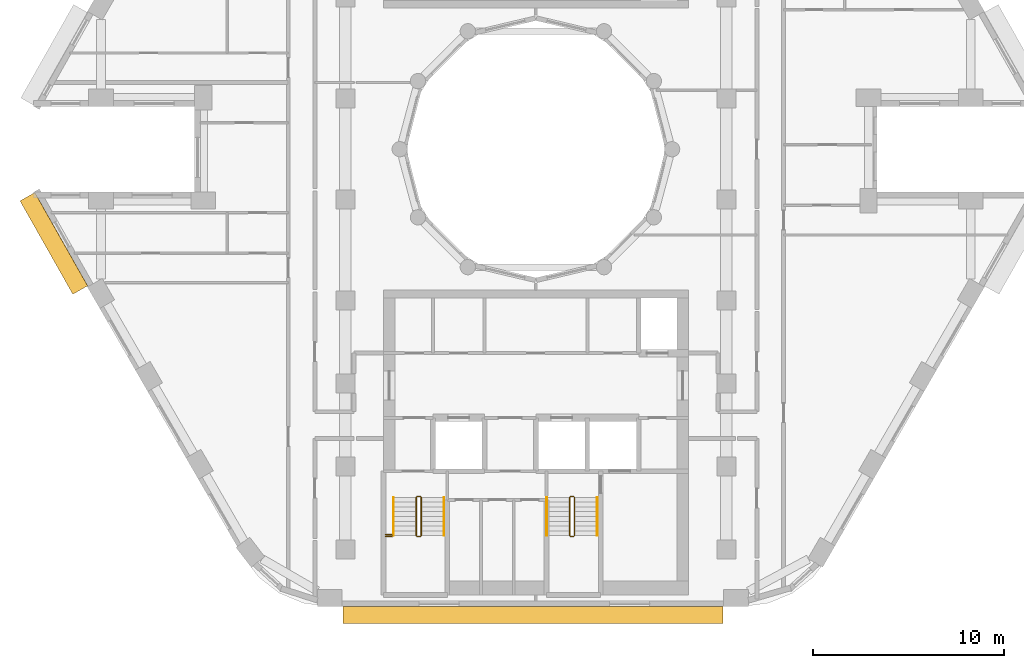
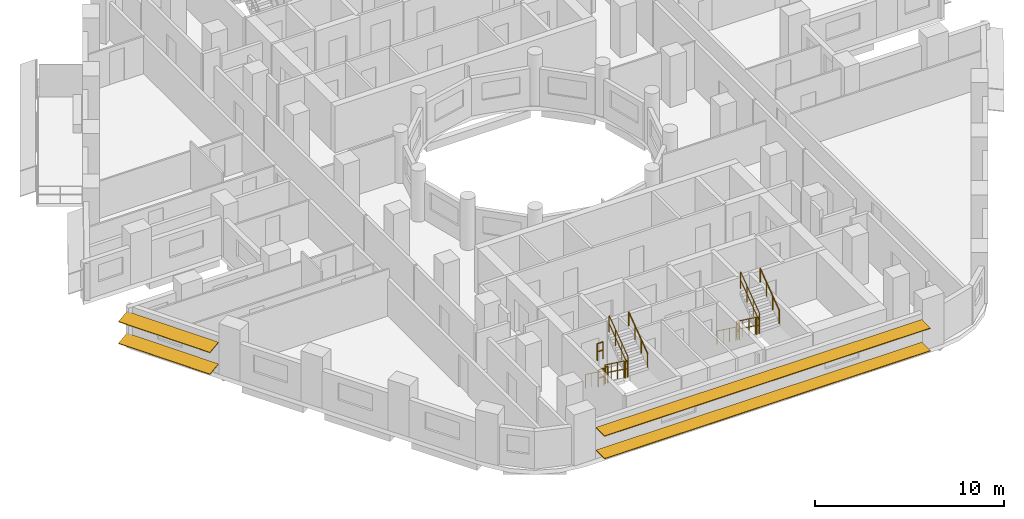
# One storey, part 11 of 13: 14 railings, 4 shading devices.
"""IFC4 building model written with IfcOpenShell, lengths in metres."""

from ifc_helpers import new_model, si_unit, direction, frame, origin, origin_2d, place, context, subcontext, project, spatial, rectangle, circle, extrude, material, material_profile, profile_set, type_object, element, save


model = new_model("IFC4")

# Units and contexts
model_context = context("Model", 3, precision=1e-05, world=origin(), true_north=direction((0.0, 1.0)))
body_context = subcontext(model_context, "Body", "Model", "MODEL_VIEW")
ifc_project = project(units=[si_unit("LENGTHUNIT", "METRE"), si_unit("AREAUNIT", "SQUARE_METRE"), si_unit("VOLUMEUNIT", "CUBIC_METRE"), si_unit("PLANEANGLEUNIT", "RADIAN"), si_unit("MASSUNIT", "GRAM", prefix="KILO")], contexts=[model_context])

# Site, building, storey
site_placement = place(None, origin())
site = spatial("IfcSite", under=ifc_project, at=site_placement, CompositionType="ELEMENT")
building_placement = place(site_placement, origin())
building = spatial("IfcBuilding", under=site, at=building_placement, Name="Nakaniwa Court", CompositionType="ELEMENT")
storey_placement = place(building_placement, frame((0.0, 0.0, 147.0)))
storey = spatial("IfcBuildingStorey", under=building, at=storey_placement, Name="L38", CompositionType="ELEMENT", Elevation=147.0)

# Shading devices
ifc_material_1 = material(Name="Perforated charcoal ceramic louvre blade")
ifc_material_profile = material_profile(ifc_material_1, rectangle(XDim=0.89990234375, YDim=0.050048828125, at=origin_2d()), Name="Perforated ceramic louvre blade")
ifc_profile_set = profile_set([ifc_material_profile], Name="Perforated charcoal ceramic louvre blade")
shading_device_type = type_object("IfcShadingDeviceType", Name="Perforated ceramic louvre blade", PredefinedType="JALOUSIE", material=ifc_profile_set)
for number, where, z_axis, x_axis, name in (
    (1, (53.31689453125, 77.5078125, 0.550048828125), (0.49253187421, -0.870294405869, 0.0), (0.862649339692, 0.488205247786, 0.132256390257), "L38 perforated ceramic louvre blade w20 1"),
    (2, (53.31689453125, 77.5078125, 1.955810546875), (0.49253187421, -0.870294405869, 0.0), (0.862649339692, 0.488205247786, 0.132256390257), "L38 perforated ceramic louvre blade w20 2"),
):
    element("IfcShadingDevice", number, at=place(storey_placement, frame(where, z_axis=z_axis, x_axis=x_axis)), inside=storey, type_object=shading_device_type, Name=name, PredefinedType="JALOUSIE", context=body_context, shape_type="SweptSolid", body=[
        extrude(rectangle(XDim=0.89990234375, YDim=0.050048828125, at=origin_2d()), origin(), (0.0, 0.0, 1.0), 5.62646484375),
    ])
for number, where, z_axis, x_axis, name in (
    (3, (69.871337890625, 55.550048828125, 0.550048828125), (1.0, 0.0, 0.0), (0.0, 1.0, 0.0), "L38 perforated ceramic louvre blade w26 1"),
    (4, (69.871337890625, 55.550048828125, 2.014892578125), (1.0, 0.0, 0.0), (0.0, 1.0, 0.0), "L38 perforated ceramic louvre blade w26 2"),
):
    element("IfcShadingDevice", number, at=place(storey_placement, frame(where, z_axis=z_axis, x_axis=x_axis)), inside=storey, type_object=shading_device_type, Name=name, PredefinedType="JALOUSIE", context=body_context, shape_type="SweptSolid", body=[
        extrude(rectangle(XDim=0.89990234375, YDim=0.050048828125, at=origin_2d()), origin(), (0.0, 0.0, 1.0), 19.939697265625),
    ])

# Railings
ifc_material_2 = material(Name="Black powder coated steel guard", Category="steel")
railing_type_1 = type_object("IfcRailingType", Name="Stair guard 1100", PredefinedType="GUARDRAIL", material=ifc_material_2)
railing_1_placement = place(storey_placement, frame((73.72509765625, 61.72509765625, 0.183349609375)))
element("IfcRailing", 5, at=railing_1_placement, inside=storey, type_object=railing_type_1, Name="L38 ST3 stair guard 1", PredefinedType="GUARDRAIL", context=body_context, shape_type="SweptSolid", body=[
    extrude(circle(Radius=0.02392578125, at=origin_2d()), frame((0.0, 0.0, 1.076171875), z_axis=(0.0, -0.806426902644, 0.591333789573), x_axis=(1.0, 0.0, 0.0)), (0.0, 0.0, 1.0), 2.47998046875),
    extrude(circle(Radius=0.02392578125, at=origin_2d()), frame((0.0, 0.0, 0.550048828125), z_axis=(0.0, -0.806426902644, 0.591333789573), x_axis=(1.0, 0.0, 0.0)), (0.0, 0.0, 1.0), 2.47998046875),
    extrude(circle(Radius=0.02099609375, at=origin_2d()), origin(), (0.0, 0.0, 1.0), 1.052001953125),
    extrude(circle(Radius=0.02099609375, at=origin_2d()), frame((0.0, -0.666748046875, 0.48876953125)), (0.0, 0.0, 1.0), 1.052001953125),
    extrude(circle(Radius=0.02099609375, at=origin_2d()), frame((0.0, -1.333251953125, 0.977783203125)), (0.0, 0.0, 1.0), 1.052001953125),
    extrude(circle(Radius=0.02099609375, at=origin_2d()), frame((0.0, -2.0, 1.466552734375)), (0.0, 0.0, 1.0), 1.052001953125),
])
railing_2_placement = place(storey_placement, frame((73.77490234375, 59.675048828125, 1.64990234375)))
element("IfcRailing", 6, at=railing_2_placement, inside=storey, type_object=railing_type_1, Name="L38 ST3 stair guard 2", PredefinedType="GUARDRAIL", context=body_context, shape_type="SweptSolid", body=[
    extrude(circle(Radius=0.02392578125, at=origin_2d()), frame((0.0, 0.0, 1.076171875), z_axis=(1.0, 0.0, 0.0), x_axis=(0.0, 1.0, 0.0)), (0.0, 0.0, 1.0), 0.150146484375),
    extrude(circle(Radius=0.02392578125, at=origin_2d()), frame((0.0, 0.0, 0.550048828125), z_axis=(1.0, 0.0, 0.0), x_axis=(0.0, 1.0, 0.0)), (0.0, 0.0, 1.0), 0.150146484375),
    extrude(circle(Radius=0.02099609375, at=origin_2d()), origin(), (0.0, 0.0, 1.0), 1.052001953125),
    extrude(circle(Radius=0.02099609375, at=origin_2d()), frame((0.150146484375, 0.0, 0.0)), (0.0, 0.0, 1.0), 1.052001953125),
])
railing_3_placement = place(storey_placement, frame((73.97509765625, 59.72509765625, 1.833251953125)))
element("IfcRailing", 7, at=railing_3_placement, inside=storey, type_object=railing_type_1, Name="L38 ST3 stair guard 3", PredefinedType="GUARDRAIL", context=body_context, shape_type="SweptSolid", body=[
    extrude(circle(Radius=0.02392578125, at=origin_2d()), frame((0.0, 0.0, 1.076171875), z_axis=(0.0, 0.806379959628, 0.591397802423), x_axis=(-1.0, 0.0, 0.0)), (0.0, 0.0, 1.0), 2.480224609375),
    extrude(circle(Radius=0.02392578125, at=origin_2d()), frame((0.0, 0.0, 0.550048828125), z_axis=(0.0, 0.806379959628, 0.591397802423), x_axis=(-1.0, 0.0, 0.0)), (0.0, 0.0, 1.0), 2.480224609375),
    extrude(circle(Radius=0.02099609375, at=origin_2d()), origin(), (0.0, 0.0, 1.0), 1.052001953125),
    extrude(circle(Radius=0.02099609375, at=origin_2d()), frame((0.0, 0.666748046875, 0.489013671875)), (0.0, 0.0, 1.0), 1.052001953125),
    extrude(circle(Radius=0.02099609375, at=origin_2d()), frame((0.0, 1.333251953125, 0.977783203125)), (0.0, 0.0, 1.0), 1.052001953125),
    extrude(circle(Radius=0.02099609375, at=origin_2d()), frame((0.0, 2.0, 1.466796875)), (0.0, 0.0, 1.0), 1.052001953125),
])
railing_4_placement = place(storey_placement, frame((73.77490234375, 61.77490234375, 0.0)))
element("IfcRailing", 8, at=railing_4_placement, inside=storey, type_object=railing_type_1, Name="L38 ST3 stair guard 4", PredefinedType="GUARDRAIL", context=body_context, shape_type="SweptSolid", body=[
    extrude(circle(Radius=0.02392578125, at=origin_2d()), frame((0.0, 0.0, 1.076171875), z_axis=(1.0, 0.0, 0.0), x_axis=(0.0, 1.0, 0.0)), (0.0, 0.0, 1.0), 0.150146484375),
    extrude(circle(Radius=0.02392578125, at=origin_2d()), frame((0.0, 0.0, 0.550048828125), z_axis=(1.0, 0.0, 0.0), x_axis=(0.0, 1.0, 0.0)), (0.0, 0.0, 1.0), 0.150146484375),
    extrude(circle(Radius=0.02099609375, at=origin_2d()), origin(), (0.0, 0.0, 1.0), 1.052001953125),
    extrude(circle(Radius=0.02099609375, at=origin_2d()), frame((0.150146484375, 0.0, 0.0)), (0.0, 0.0, 1.0), 1.052001953125),
])
for number, where, name in (
    (9, (72.125, 59.675048828125, 1.64990234375), "L38 ST3 landing side guard 1W"),
    (10, (72.125, 59.77490234375, 3.300048828125), "L38 ST3 floor edge guard 1W"),
):
    element("IfcRailing", number, at=place(storey_placement, frame(where)), inside=storey, type_object=railing_type_1, Name=name, PredefinedType="GUARDRAIL", context=body_context, shape_type="SweptSolid", body=[
        extrude(circle(Radius=0.02392578125, at=origin_2d()), frame((0.0, 0.0, 1.076171875), z_axis=(1.0, 0.0, 0.0), x_axis=(0.0, 1.0, 0.0)), (0.0, 0.0, 1.0), 0.35009765625),
        extrude(circle(Radius=0.02392578125, at=origin_2d()), frame((0.0, 0.0, 0.550048828125), z_axis=(1.0, 0.0, 0.0), x_axis=(0.0, 1.0, 0.0)), (0.0, 0.0, 1.0), 0.35009765625),
        extrude(circle(Radius=0.02099609375, at=origin_2d()), origin(), (0.0, 0.0, 1.0), 1.052001953125),
        extrude(circle(Radius=0.02099609375, at=origin_2d()), frame((0.35009765625, 0.0, 0.0)), (0.0, 0.0, 1.0), 1.052001953125),
    ])
railing_5_placement = place(storey_placement, frame((81.77490234375, 61.72509765625, 0.183349609375)))
element("IfcRailing", 11, at=railing_5_placement, inside=storey, type_object=railing_type_1, Name="L38 ST4 stair guard 1", PredefinedType="GUARDRAIL", context=body_context, shape_type="SweptSolid", body=[
    extrude(circle(Radius=0.02392578125, at=origin_2d()), frame((0.0, 0.0, 1.076171875), z_axis=(0.0, -0.806426902644, 0.591333789573), x_axis=(1.0, 0.0, 0.0)), (0.0, 0.0, 1.0), 2.47998046875),
    extrude(circle(Radius=0.02392578125, at=origin_2d()), frame((0.0, 0.0, 0.550048828125), z_axis=(0.0, -0.806426902644, 0.591333789573), x_axis=(1.0, 0.0, 0.0)), (0.0, 0.0, 1.0), 2.47998046875),
    extrude(circle(Radius=0.02099609375, at=origin_2d()), origin(), (0.0, 0.0, 1.0), 1.052001953125),
    extrude(circle(Radius=0.02099609375, at=origin_2d()), frame((0.0, -0.666748046875, 0.48876953125)), (0.0, 0.0, 1.0), 1.052001953125),
    extrude(circle(Radius=0.02099609375, at=origin_2d()), frame((0.0, -1.333251953125, 0.977783203125)), (0.0, 0.0, 1.0), 1.052001953125),
    extrude(circle(Radius=0.02099609375, at=origin_2d()), frame((0.0, -2.0, 1.466552734375)), (0.0, 0.0, 1.0), 1.052001953125),
])
railing_6_placement = place(storey_placement, frame((81.824951171875, 59.675048828125, 1.64990234375)))
element("IfcRailing", 12, at=railing_6_placement, inside=storey, type_object=railing_type_1, Name="L38 ST4 stair guard 2", PredefinedType="GUARDRAIL", context=body_context, shape_type="SweptSolid", body=[
    extrude(circle(Radius=0.02392578125, at=origin_2d()), frame((0.0, 0.0, 1.076171875), z_axis=(1.0, 0.0, 0.0), x_axis=(0.0, 1.0, 0.0)), (0.0, 0.0, 1.0), 0.150146484375),
    extrude(circle(Radius=0.02392578125, at=origin_2d()), frame((0.0, 0.0, 0.550048828125), z_axis=(1.0, 0.0, 0.0), x_axis=(0.0, 1.0, 0.0)), (0.0, 0.0, 1.0), 0.150146484375),
    extrude(circle(Radius=0.02099609375, at=origin_2d()), origin(), (0.0, 0.0, 1.0), 1.052001953125),
    extrude(circle(Radius=0.02099609375, at=origin_2d()), frame((0.150146484375, 0.0, 0.0)), (0.0, 0.0, 1.0), 1.052001953125),
])
railing_7_placement = place(storey_placement, frame((82.02490234375, 59.72509765625, 1.833251953125)))
element("IfcRailing", 13, at=railing_7_placement, inside=storey, type_object=railing_type_1, Name="L38 ST4 stair guard 3", PredefinedType="GUARDRAIL", context=body_context, shape_type="SweptSolid", body=[
    extrude(circle(Radius=0.02392578125, at=origin_2d()), frame((0.0, 0.0, 1.076171875), z_axis=(0.0, 0.806379959628, 0.591397802423), x_axis=(-1.0, 0.0, 0.0)), (0.0, 0.0, 1.0), 2.480224609375),
    extrude(circle(Radius=0.02392578125, at=origin_2d()), frame((0.0, 0.0, 0.550048828125), z_axis=(0.0, 0.806379959628, 0.591397802423), x_axis=(-1.0, 0.0, 0.0)), (0.0, 0.0, 1.0), 2.480224609375),
    extrude(circle(Radius=0.02099609375, at=origin_2d()), origin(), (0.0, 0.0, 1.0), 1.052001953125),
    extrude(circle(Radius=0.02099609375, at=origin_2d()), frame((0.0, 0.666748046875, 0.489013671875)), (0.0, 0.0, 1.0), 1.052001953125),
    extrude(circle(Radius=0.02099609375, at=origin_2d()), frame((0.0, 1.333251953125, 0.977783203125)), (0.0, 0.0, 1.0), 1.052001953125),
    extrude(circle(Radius=0.02099609375, at=origin_2d()), frame((0.0, 2.0, 1.466796875)), (0.0, 0.0, 1.0), 1.052001953125),
])
railing_8_placement = place(storey_placement, frame((81.824951171875, 61.77490234375, 0.0)))
element("IfcRailing", 14, at=railing_8_placement, inside=storey, type_object=railing_type_1, Name="L38 ST4 stair guard 4", PredefinedType="GUARDRAIL", context=body_context, shape_type="SweptSolid", body=[
    extrude(circle(Radius=0.02392578125, at=origin_2d()), frame((0.0, 0.0, 1.076171875), z_axis=(1.0, 0.0, 0.0), x_axis=(0.0, 1.0, 0.0)), (0.0, 0.0, 1.0), 0.150146484375),
    extrude(circle(Radius=0.02392578125, at=origin_2d()), frame((0.0, 0.0, 0.550048828125), z_axis=(1.0, 0.0, 0.0), x_axis=(0.0, 1.0, 0.0)), (0.0, 0.0, 1.0), 0.150146484375),
    extrude(circle(Radius=0.02099609375, at=origin_2d()), origin(), (0.0, 0.0, 1.0), 1.052001953125),
    extrude(circle(Radius=0.02099609375, at=origin_2d()), frame((0.150146484375, 0.0, 0.0)), (0.0, 0.0, 1.0), 1.052001953125),
])
ifc_material_3 = material(Name="Black powder coated steel handrail", Category="steel")
railing_type_2 = type_object("IfcRailingType", Name="Stair handrail 900", PredefinedType="HANDRAIL", material=ifc_material_3)
railing_9_placement = place(storey_placement, frame((72.52490234375, 61.72509765625, 0.183349609375)))
element("IfcRailing", 15, at=railing_9_placement, inside=storey, type_object=railing_type_2, Name="L38 ST3 stair handrail 1", PredefinedType="HANDRAIL", context=body_context, shape_type="SweptSolid", body=[
    extrude(circle(Radius=0.02392578125, at=origin_2d()), frame((0.0, 0.0, 0.8759765625), z_axis=(0.0, -0.806426902644, 0.591333789573), x_axis=(1.0, 0.0, 0.0)), (0.0, 0.0, 1.0), 2.47998046875),
    extrude(circle(Radius=0.02099609375, at=origin_2d()), origin(), (0.0, 0.0, 1.0), 0.851806640625),
    extrude(circle(Radius=0.02099609375, at=origin_2d()), frame((0.0, -0.666748046875, 0.48876953125)), (0.0, 0.0, 1.0), 0.851806640625),
    extrude(circle(Radius=0.02099609375, at=origin_2d()), frame((0.0, -1.333251953125, 0.977783203125)), (0.0, 0.0, 1.0), 0.851806640625),
    extrude(circle(Radius=0.02099609375, at=origin_2d()), frame((0.0, -2.0, 1.466552734375)), (0.0, 0.0, 1.0), 0.851806640625),
])
railing_10_placement = place(storey_placement, frame((75.175048828125, 59.72509765625, 1.833251953125)))
element("IfcRailing", 16, at=railing_10_placement, inside=storey, type_object=railing_type_2, Name="L38 ST3 stair handrail 2", PredefinedType="HANDRAIL", context=body_context, shape_type="SweptSolid", body=[
    extrude(circle(Radius=0.02392578125, at=origin_2d()), frame((0.0, 0.0, 0.8759765625), z_axis=(0.0, 0.806379959628, 0.591397802423), x_axis=(-1.0, 0.0, 0.0)), (0.0, 0.0, 1.0), 2.480224609375),
    extrude(circle(Radius=0.02099609375, at=origin_2d()), origin(), (0.0, 0.0, 1.0), 0.851806640625),
    extrude(circle(Radius=0.02099609375, at=origin_2d()), frame((0.0, 0.666748046875, 0.489013671875)), (0.0, 0.0, 1.0), 0.851806640625),
    extrude(circle(Radius=0.02099609375, at=origin_2d()), frame((0.0, 1.333251953125, 0.977783203125)), (0.0, 0.0, 1.0), 0.851806640625),
    extrude(circle(Radius=0.02099609375, at=origin_2d()), frame((0.0, 2.0, 1.466796875)), (0.0, 0.0, 1.0), 0.851806640625),
])
railing_11_placement = place(storey_placement, frame((80.574951171875, 61.72509765625, 0.183349609375)))
element("IfcRailing", 17, at=railing_11_placement, inside=storey, type_object=railing_type_2, Name="L38 ST4 stair handrail 1", PredefinedType="HANDRAIL", context=body_context, shape_type="SweptSolid", body=[
    extrude(circle(Radius=0.02392578125, at=origin_2d()), frame((0.0, 0.0, 0.8759765625), z_axis=(0.0, -0.806426902644, 0.591333789573), x_axis=(1.0, 0.0, 0.0)), (0.0, 0.0, 1.0), 2.47998046875),
    extrude(circle(Radius=0.02099609375, at=origin_2d()), origin(), (0.0, 0.0, 1.0), 0.851806640625),
    extrude(circle(Radius=0.02099609375, at=origin_2d()), frame((0.0, -0.666748046875, 0.48876953125)), (0.0, 0.0, 1.0), 0.851806640625),
    extrude(circle(Radius=0.02099609375, at=origin_2d()), frame((0.0, -1.333251953125, 0.977783203125)), (0.0, 0.0, 1.0), 0.851806640625),
    extrude(circle(Radius=0.02099609375, at=origin_2d()), frame((0.0, -2.0, 1.466552734375)), (0.0, 0.0, 1.0), 0.851806640625),
])
railing_12_placement = place(storey_placement, frame((83.22509765625, 59.72509765625, 1.833251953125)))
element("IfcRailing", 18, at=railing_12_placement, inside=storey, type_object=railing_type_2, Name="L38 ST4 stair handrail 2", PredefinedType="HANDRAIL", context=body_context, shape_type="SweptSolid", body=[
    extrude(circle(Radius=0.02392578125, at=origin_2d()), frame((0.0, 0.0, 0.8759765625), z_axis=(0.0, 0.806379959628, 0.591397802423), x_axis=(-1.0, 0.0, 0.0)), (0.0, 0.0, 1.0), 2.480224609375),
    extrude(circle(Radius=0.02099609375, at=origin_2d()), origin(), (0.0, 0.0, 1.0), 0.851806640625),
    extrude(circle(Radius=0.02099609375, at=origin_2d()), frame((0.0, 0.666748046875, 0.489013671875)), (0.0, 0.0, 1.0), 0.851806640625),
    extrude(circle(Radius=0.02099609375, at=origin_2d()), frame((0.0, 1.333251953125, 0.977783203125)), (0.0, 0.0, 1.0), 0.851806640625),
    extrude(circle(Radius=0.02099609375, at=origin_2d()), frame((0.0, 2.0, 1.466796875)), (0.0, 0.0, 1.0), 0.851806640625),
])

save(model, "model.ifc")
